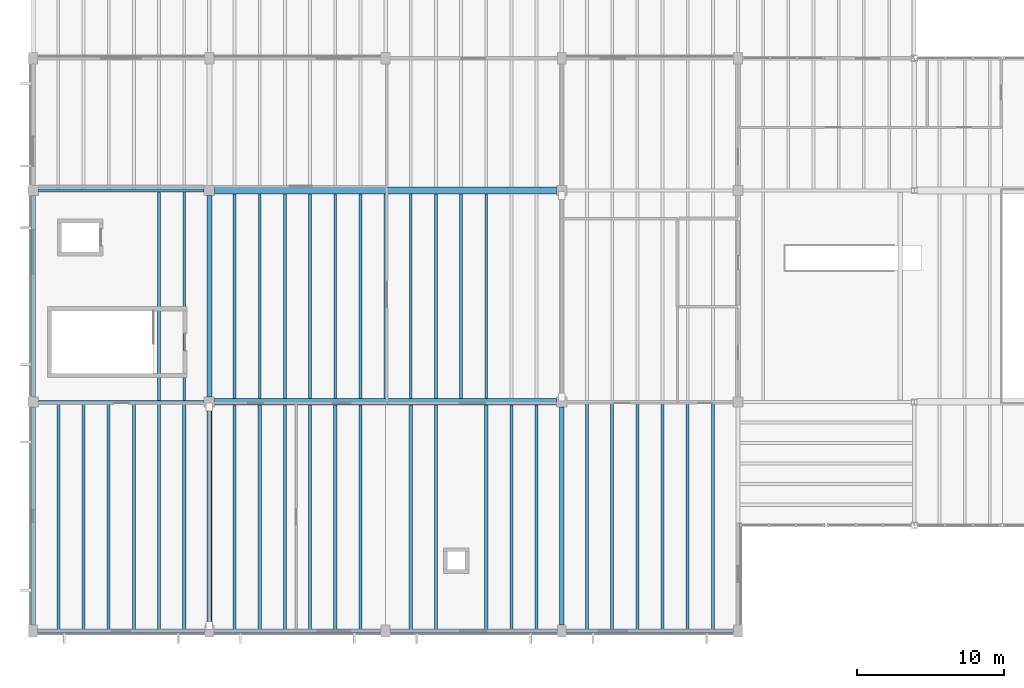
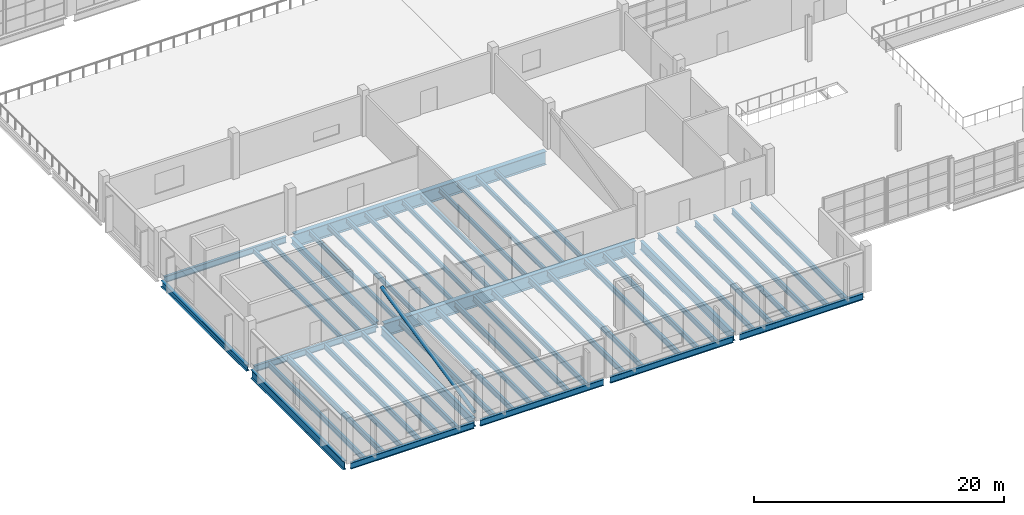
# One storey, part 9 of 78: 49 beams, 1 member.
"""IFC4 building model written with IfcOpenShell, lengths in metres."""

from ifc_helpers import new_model, si_unit, direction, frame, origin, origin_2d, place, context, subcontext, project, spatial, hollow_circle, i_section, extrude, material, material_profile, profile_set, type_object, element, save


model = new_model("IFC4")

# Units and contexts
model_context = context("Model", 3, precision=1e-05, world=origin(), true_north=direction((0.0, 1.0)))
body_context = subcontext(model_context, "Body", "Model", "MODEL_VIEW")
ifc_project = project(units=[si_unit("LENGTHUNIT", "METRE"), si_unit("AREAUNIT", "SQUARE_METRE"), si_unit("VOLUMEUNIT", "CUBIC_METRE"), si_unit("PLANEANGLEUNIT", "RADIAN"), si_unit("MASSUNIT", "GRAM", prefix="KILO")], contexts=[model_context])

# Site, building, storey
site_placement = place(None, origin())
site = spatial("IfcSite", under=ifc_project, at=site_placement, CompositionType="ELEMENT")
building_placement = place(site_placement, origin())
building = spatial("IfcBuilding", under=site, at=building_placement, Name="Kelmvaro Bay Concert Hall", CompositionType="ELEMENT")
storey_placement = place(building_placement, frame((0.0, 0.0, 9.300048828125)))
storey = spatial("IfcBuildingStorey", under=building, at=storey_placement, Name="L02", CompositionType="ELEMENT", Elevation=9.300048828125)

# Beams
ifc_material_1 = material(Name="Steel ASTM A992 Grade 50", Category="steel")
ifc_material_profile_1 = material_profile(ifc_material_1, i_section(OverallWidth=0.19189453125, OverallDepth=0.4619140625, WebThickness=0.010498046875, FlangeThickness=0.017578125, at=origin_2d()), Name="W18X60")
ifc_profile_set_1 = profile_set([ifc_material_profile_1], Name="Steel ASTM A992 Grade 50")
beam_type_1 = type_object("IfcBeamType", Name="Acoustic Box Floor Joist W18x60", PredefinedType="JOIST", material=ifc_profile_set_1)
for number, where, z_axis, x_axis, name in (
    (1, (8.5712890625, 15.714111328125, -0.48095703125), (0.0, 1.0, 0.0), (-1.0, 0.0, 0.0), "L02 Floor Joist JST-L02-0929"),
    (2, (10.28564453125, 15.714111328125, -0.48095703125), (0.0, 1.0, 0.0), (-1.0, 0.0, 0.0), "L02 Floor Joist JST-L02-0930"),
):
    element("IfcBeam", number, at=place(storey_placement, frame(where, z_axis=z_axis, x_axis=x_axis)), inside=storey, type_object=beam_type_1, Name=name, PredefinedType="JOIST", context=body_context, shape_type="SweptSolid", body=[
        extrude(i_section(OverallWidth=0.19189453125, OverallDepth=0.4619140625, WebThickness=0.010498046875, FlangeThickness=0.017578125, at=origin_2d()), origin(), (0.0, 0.0, 1.0), 14.171875),
    ])
for number, where, z_axis, x_axis, name in (
    (3, (13.71435546875, 15.824951171875, -0.48095703125), (0.0, 1.0, 0.0), (-1.0, 0.0, 0.0), "L02 Floor Joist JST-L02-0931"),
    (4, (15.4287109375, 15.824951171875, -0.48095703125), (0.0, 1.0, 0.0), (-1.0, 0.0, 0.0), "L02 Floor Joist JST-L02-0932"),
    (5, (17.142822265625, 15.824951171875, -0.48095703125), (0.0, 1.0, 0.0), (-1.0, 0.0, 0.0), "L02 Floor Joist JST-L02-0933"),
    (6, (18.857177734375, 15.824951171875, -0.48095703125), (0.0, 1.0, 0.0), (-1.0, 0.0, 0.0), "L02 Floor Joist JST-L02-0934"),
    (7, (20.5712890625, 15.824951171875, -0.48095703125), (0.0, 1.0, 0.0), (-1.0, 0.0, 0.0), "L02 Floor Joist JST-L02-0935"),
    (8, (22.28564453125, 15.824951171875, -0.48095703125), (0.0, 1.0, 0.0), (-1.0, 0.0, 0.0), "L02 Floor Joist JST-L02-0936"),
    (9, (24.0, 15.824951171875, -0.48095703125), (0.0, 1.0, 0.0), (-1.0, 0.0, 0.0), "L02 Floor Joist JST-L02-0937"),
    (10, (25.71435546875, 15.824951171875, -0.48095703125), (0.0, 1.0, 0.0), (-1.0, 0.0, 0.0), "L02 Floor Joist JST-L02-0938"),
    (11, (27.4287109375, 15.824951171875, -0.48095703125), (0.0, 1.0, 0.0), (-1.0, 0.0, 0.0), "L02 Floor Joist JST-L02-0939"),
    (12, (29.142822265625, 15.824951171875, -0.48095703125), (0.0, 1.0, 0.0), (-1.0, 0.0, 0.0), "L02 Floor Joist JST-L02-0940"),
    (13, (30.857177734375, 15.824951171875, -0.48095703125), (0.0, 1.0, 0.0), (-1.0, 0.0, 0.0), "L02 Floor Joist JST-L02-0941"),
):
    element("IfcBeam", number, at=place(storey_placement, frame(where, z_axis=z_axis, x_axis=x_axis)), inside=storey, type_object=beam_type_1, Name=name, PredefinedType="JOIST", context=body_context, shape_type="SweptSolid", body=[
        extrude(i_section(OverallWidth=0.19189453125, OverallDepth=0.4619140625, WebThickness=0.010498046875, FlangeThickness=0.017578125, at=origin_2d()), origin(), (0.0, 0.0, 1.0), 13.949951171875),
    ])
ifc_material_2 = material(Name="Steel ASTM A992 Grade 50", Category="steel")
ifc_material_profile_2 = material_profile(ifc_material_2, i_section(OverallWidth=0.323974609375, OverallDepth=0.611083984375, WebThickness=0.0126953125, FlangeThickness=0.01904296875, at=origin_2d()), Name="W24X104")
ifc_profile_set_2 = profile_set([ifc_material_profile_2], Name="Steel ASTM A992 Grade 50")
beam_type_2 = type_object("IfcBeamType", Name="Foyer Frame Girder W24x104", PredefinedType="BEAM", material=ifc_profile_set_2)
for number, where, z_axis, x_axis, name in (
    (14, (0.0, 15.949951171875, -0.5556640625), (0.0, 1.0, 0.0), (-1.0, 0.0, 0.0), "L02 Girder BM-L02-NS-0796"),
    (15, (12.0, 15.949951171875, -0.5556640625), (0.0, 1.0, 0.0), (-1.0, 0.0, 0.0), "L02 Girder BM-L02-NS-0806"),
):
    element("IfcBeam", number, at=place(storey_placement, frame(where, z_axis=z_axis, x_axis=x_axis)), inside=storey, type_object=beam_type_2, Name=name, PredefinedType="BEAM", context=body_context, shape_type="SweptSolid", body=[
        extrude(i_section(OverallWidth=0.323974609375, OverallDepth=0.611083984375, WebThickness=0.0126953125, FlangeThickness=0.01904296875, at=origin_2d()), origin(), (0.0, 0.0, 1.0), 13.699951171875),
    ])
ifc_material_3 = material(Name="Steel ASTM A992 Grade 50", Category="steel")
ifc_material_profile_3 = material_profile(ifc_material_3, i_section(OverallWidth=0.2919921875, OverallDepth=0.845947265625, WebThickness=0.015380859375, FlangeThickness=0.0244140625, at=origin_2d()), Name="W33X141")
ifc_profile_set_3 = profile_set([ifc_material_profile_3], Name="Steel ASTM A992 Grade 50")
beam_type_3 = type_object("IfcBeamType", Name="Hall Gallery Girder W33x141", PredefinedType="BEAM", material=ifc_profile_set_3)
for number, where, z_axis, x_axis, name in (
    (16, (0.0, 0.39990234375, -0.673095703125), (0.0, 1.0, 0.0), (-1.0, 0.0, 0.0), "L02 Girder BM-L02-NS-0795"),
    (17, (12.0, 0.39990234375, -0.673095703125), (0.0, 1.0, 0.0), (-1.0, 0.0, 0.0), "L02 Girder BM-L02-NS-0805"),
    (18, (36.0, 0.39990234375, -0.673095703125), (0.0, 1.0, 0.0), (-1.0, 0.0, 0.0), "L02 Girder BM-L02-NS-0817"),
):
    element("IfcBeam", number, at=place(storey_placement, frame(where, z_axis=z_axis, x_axis=x_axis)), inside=storey, type_object=beam_type_3, Name=name, PredefinedType="BEAM", context=body_context, shape_type="SweptSolid", body=[
        extrude(i_section(OverallWidth=0.2919921875, OverallDepth=0.845947265625, WebThickness=0.015380859375, FlangeThickness=0.0244140625, at=origin_2d()), origin(), (0.0, 0.0, 1.0), 14.85009765625),
    ])

# Member
ifc_material_4 = material(Name="Steel ASTM A500 Grade C", Category="steel")
ifc_material_profile_4 = material_profile(ifc_material_4, hollow_circle(Radius=0.177978515625, WallThickness=0.012451171875, at=origin_2d()), Name="CHS356X12")
ifc_profile_set_4 = profile_set([ifc_material_profile_4], Name="Steel ASTM A500 Grade C")
member_type = type_object("IfcMemberType", Name="Hall Lateral Brace CHS356x12", PredefinedType="BRACE", material=ifc_profile_set_4)
member_placement = place(storey_placement, frame((12.0, 0.40185546875, 0.350341796875), z_axis=(0.0, 0.977560395262, 0.210655343192), x_axis=(-1.0, 0.0, 0.0)))
element("IfcMember", 19, at=member_placement, inside=storey, type_object=member_type, Name="L02 Lateral Diagonal Brace V3-WT", PredefinedType="BRACE", context=body_context, shape_type="SweptSolid", body=[
    extrude(hollow_circle(Radius=0.177978515625, WallThickness=0.012451171875, at=origin_2d()), origin(), (0.0, 0.0, 1.0), 15.18701171875),
])

# Beams
ifc_material_5 = material(Name="Steel ASTM A992 Grade 50", Category="steel")
ifc_material_profile_5 = material_profile(ifc_material_5, i_section(OverallWidth=0.2119140625, OverallDepth=0.5439453125, WebThickness=0.01318359375, FlangeThickness=0.021240234375, at=origin_2d()), Name="W21X83")
ifc_profile_set_5 = profile_set([ifc_material_profile_5], Name="Steel ASTM A992 Grade 50")
beam_type_4 = type_object("IfcBeamType", Name="Long Span Assembly Joist W21x83", PredefinedType="JOIST", material=ifc_profile_set_5)
for number, where, z_axis, x_axis, name in (
    (20, (1.71435546875, 0.114013671875, -0.52197265625), (0.0, 1.0, 0.0), (-1.0, 0.0, 0.0), "L02 Floor Joist JST-L02-0891"),
    (21, (3.4287109375, 0.114013671875, -0.52197265625), (0.0, 1.0, 0.0), (-1.0, 0.0, 0.0), "L02 Floor Joist JST-L02-0892"),
    (22, (5.142822265625, 0.114013671875, -0.52197265625), (0.0, 1.0, 0.0), (-1.0, 0.0, 0.0), "L02 Floor Joist JST-L02-0893"),
    (23, (6.857177734375, 0.114013671875, -0.52197265625), (0.0, 1.0, 0.0), (-1.0, 0.0, 0.0), "L02 Floor Joist JST-L02-0894"),
    (24, (8.5712890625, 0.114013671875, -0.52197265625), (0.0, 1.0, 0.0), (-1.0, 0.0, 0.0), "L02 Floor Joist JST-L02-0895"),
    (25, (10.28564453125, 0.114013671875, -0.52197265625), (0.0, 1.0, 0.0), (-1.0, 0.0, 0.0), "L02 Floor Joist JST-L02-0896"),
):
    element("IfcBeam", number, at=place(storey_placement, frame(where, z_axis=z_axis, x_axis=x_axis)), inside=storey, type_object=beam_type_4, Name=name, PredefinedType="JOIST", context=body_context, shape_type="SweptSolid", body=[
        extrude(i_section(OverallWidth=0.2119140625, OverallDepth=0.5439453125, WebThickness=0.01318359375, FlangeThickness=0.021240234375, at=origin_2d()), origin(), (0.0, 0.0, 1.0), 15.3720703125),
    ])
for number, where, z_axis, x_axis, name in (
    (26, (13.71435546875, 0.114013671875, -0.52197265625), (0.0, 1.0, 0.0), (-1.0, 0.0, 0.0), "L02 Floor Joist JST-L02-0897"),
    (27, (15.4287109375, 0.114013671875, -0.52197265625), (0.0, 1.0, 0.0), (-1.0, 0.0, 0.0), "L02 Floor Joist JST-L02-0898"),
    (28, (17.142822265625, 0.114013671875, -0.52197265625), (0.0, 1.0, 0.0), (-1.0, 0.0, 0.0), "L02 Floor Joist JST-L02-0899"),
    (29, (18.857177734375, 0.114013671875, -0.52197265625), (0.0, 1.0, 0.0), (-1.0, 0.0, 0.0), "L02 Floor Joist JST-L02-0900"),
    (30, (20.5712890625, 0.114013671875, -0.52197265625), (0.0, 1.0, 0.0), (-1.0, 0.0, 0.0), "L02 Floor Joist JST-L02-0901"),
    (31, (22.28564453125, 0.114013671875, -0.52197265625), (0.0, 1.0, 0.0), (-1.0, 0.0, 0.0), "L02 Floor Joist JST-L02-0902"),
    (32, (25.71435546875, 0.114013671875, -0.52197265625), (0.0, 1.0, 0.0), (-1.0, 0.0, 0.0), "L02 Floor Joist JST-L02-0903"),
    (33, (27.4287109375, 0.114013671875, -0.52197265625), (0.0, 1.0, 0.0), (-1.0, 0.0, 0.0), "L02 Floor Joist JST-L02-0904"),
    (34, (30.857177734375, 0.114013671875, -0.52197265625), (0.0, 1.0, 0.0), (-1.0, 0.0, 0.0), "L02 Floor Joist JST-L02-0905"),
    (35, (32.5712890625, 0.114013671875, -0.52197265625), (0.0, 1.0, 0.0), (-1.0, 0.0, 0.0), "L02 Floor Joist JST-L02-0906"),
    (36, (34.28564453125, 0.114013671875, -0.52197265625), (0.0, 1.0, 0.0), (-1.0, 0.0, 0.0), "L02 Floor Joist JST-L02-0907"),
):
    element("IfcBeam", number, at=place(storey_placement, frame(where, z_axis=z_axis, x_axis=x_axis)), inside=storey, type_object=beam_type_4, Name=name, PredefinedType="JOIST", context=body_context, shape_type="SweptSolid", body=[
        extrude(i_section(OverallWidth=0.2119140625, OverallDepth=0.5439453125, WebThickness=0.01318359375, FlangeThickness=0.021240234375, at=origin_2d()), origin(), (0.0, 0.0, 1.0), 15.260986328125),
    ])
for number, where, z_axis, x_axis, name in (
    (37, (37.71435546875, 0.114013671875, -0.52197265625), (0.0, 1.0, 0.0), (-1.0, 0.0, 0.0), "L02 Floor Joist JST-L02-0908"),
    (38, (39.4287109375, 0.114013671875, -0.52197265625), (0.0, 1.0, 0.0), (-1.0, 0.0, 0.0), "L02 Floor Joist JST-L02-0909"),
    (39, (41.142822265625, 0.114013671875, -0.52197265625), (0.0, 1.0, 0.0), (-1.0, 0.0, 0.0), "L02 Floor Joist JST-L02-0910"),
    (40, (42.857177734375, 0.114013671875, -0.52197265625), (0.0, 1.0, 0.0), (-1.0, 0.0, 0.0), "L02 Floor Joist JST-L02-0911"),
    (41, (44.5712890625, 0.114013671875, -0.52197265625), (0.0, 1.0, 0.0), (-1.0, 0.0, 0.0), "L02 Floor Joist JST-L02-0912"),
    (42, (46.28564453125, 0.114013671875, -0.52197265625), (0.0, 1.0, 0.0), (-1.0, 0.0, 0.0), "L02 Floor Joist JST-L02-0913"),
):
    element("IfcBeam", number, at=place(storey_placement, frame(where, z_axis=z_axis, x_axis=x_axis)), inside=storey, type_object=beam_type_4, Name=name, PredefinedType="JOIST", context=body_context, shape_type="SweptSolid", body=[
        extrude(i_section(OverallWidth=0.2119140625, OverallDepth=0.5439453125, WebThickness=0.01318359375, FlangeThickness=0.021240234375, at=origin_2d()), origin(), (0.0, 0.0, 1.0), 15.3720703125),
    ])
ifc_material_6 = material(Name="Steel ASTM A992 Grade 50", Category="steel")
ifc_material_profile_6 = material_profile(ifc_material_6, i_section(OverallWidth=0.449951171875, OverallDepth=1.300048828125, WebThickness=0.01806640625, FlangeThickness=0.031982421875, at=origin_2d()), Name="PG1300X450")
ifc_profile_set_6 = profile_set([ifc_material_profile_6], Name="Steel ASTM A992 Grade 50")
beam_type_5 = type_object("IfcBeamType", Name="Long Span Transfer Girder PG1300x450", PredefinedType="BEAM", material=ifc_profile_set_6)
for number, where, z_axis, x_axis, name in (
    (43, (12.35009765625, 15.60009765625, -0.900146484375), (1.0, 0.0, 0.0), (0.0, 1.0, 0.0), "L02 Girder BM-L02-EW-0693"),
    (44, (12.35009765625, 30.0, -0.900146484375), (1.0, 0.0, 0.0), (0.0, 1.0, 0.0), "L02 Girder BM-L02-EW-0710"),
):
    element("IfcBeam", number, at=place(storey_placement, frame(where, z_axis=z_axis, x_axis=x_axis)), inside=storey, type_object=beam_type_5, Name=name, PredefinedType="BEAM", context=body_context, shape_type="SweptSolid", body=[
        extrude(i_section(OverallWidth=0.449951171875, OverallDepth=1.300048828125, WebThickness=0.01806640625, FlangeThickness=0.031982421875, at=origin_2d()), origin(), (0.0, 0.0, 1.0), 23.2998046875),
    ])
ifc_material_7 = material(Name="Steel ASTM A992 Grade 50", Category="steel")
ifc_material_profile_7 = material_profile(ifc_material_7, i_section(OverallWidth=0.22802734375, OverallDepth=0.60693359375, WebThickness=0.01123046875, FlangeThickness=0.017333984375, at=origin_2d()), Name="W24X76")
ifc_profile_set_7 = profile_set([ifc_material_profile_7], Name="Steel ASTM A992 Grade 50")
beam_type_6 = type_object("IfcBeamType", Name="Pavilion Secondary Girder W24x76", PredefinedType="BEAM", material=ifc_profile_set_7)
for number, where, z_axis, x_axis, name in (
    (45, (0.300048828125, 0.0, -0.553466796875), (1.0, 0.0, 0.0), (0.0, 1.0, 0.0), "L02 Girder BM-L02-EW-0684"),
    (46, (12.300048828125, 0.0, -0.553466796875), (1.0, 0.0, 0.0), (0.0, 1.0, 0.0), "L02 Girder BM-L02-EW-0685"),
    (47, (24.300048828125, 0.0, -0.553466796875), (1.0, 0.0, 0.0), (0.0, 1.0, 0.0), "L02 Girder BM-L02-EW-0686"),
    (48, (36.300048828125, 0.0, -0.553466796875), (1.0, 0.0, 0.0), (0.0, 1.0, 0.0), "L02 Girder BM-L02-EW-0687"),
):
    element("IfcBeam", number, at=place(storey_placement, frame(where, z_axis=z_axis, x_axis=x_axis)), inside=storey, type_object=beam_type_6, Name=name, PredefinedType="BEAM", context=body_context, shape_type="SweptSolid", body=[
        extrude(i_section(OverallWidth=0.22802734375, OverallDepth=0.60693359375, WebThickness=0.01123046875, FlangeThickness=0.017333984375, at=origin_2d()), origin(), (0.0, 0.0, 1.0), 11.39990234375),
    ])
for number, where, z_axis, x_axis, name in (
    (49, (0.35009765625, 15.60009765625, -0.553466796875), (1.0, 0.0, 0.0), (0.0, 1.0, 0.0), "L02 Girder BM-L02-EW-0692"),
    (50, (0.35009765625, 30.0, -0.553466796875), (1.0, 0.0, 0.0), (0.0, 1.0, 0.0), "L02 Girder BM-L02-EW-0709"),
):
    element("IfcBeam", number, at=place(storey_placement, frame(where, z_axis=z_axis, x_axis=x_axis)), inside=storey, type_object=beam_type_6, Name=name, PredefinedType="BEAM", context=body_context, shape_type="SweptSolid", body=[
        extrude(i_section(OverallWidth=0.22802734375, OverallDepth=0.60693359375, WebThickness=0.01123046875, FlangeThickness=0.017333984375, at=origin_2d()), origin(), (0.0, 0.0, 1.0), 11.2998046875),
    ])

save(model, "model.ifc")
